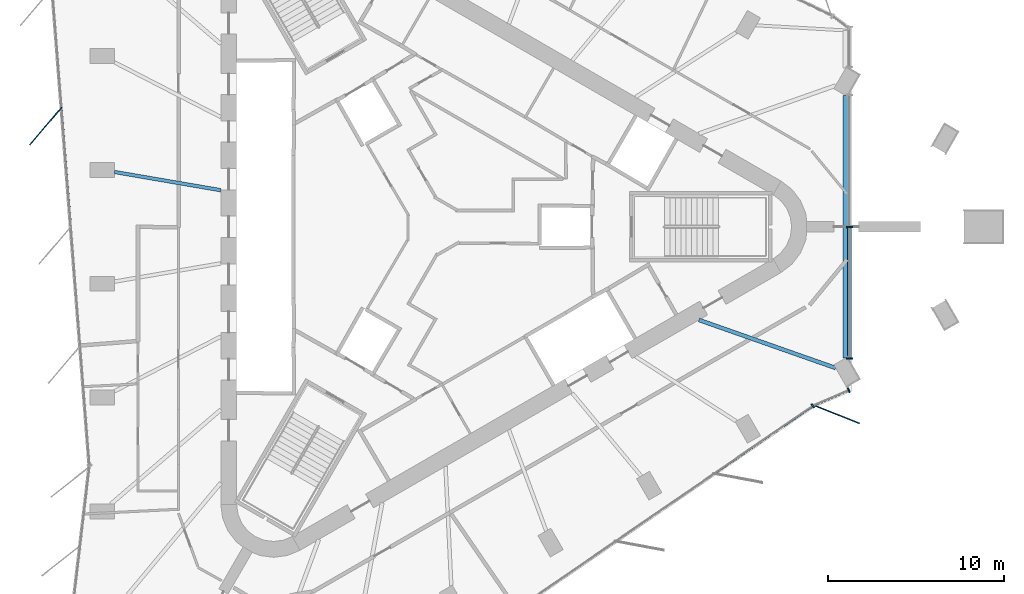
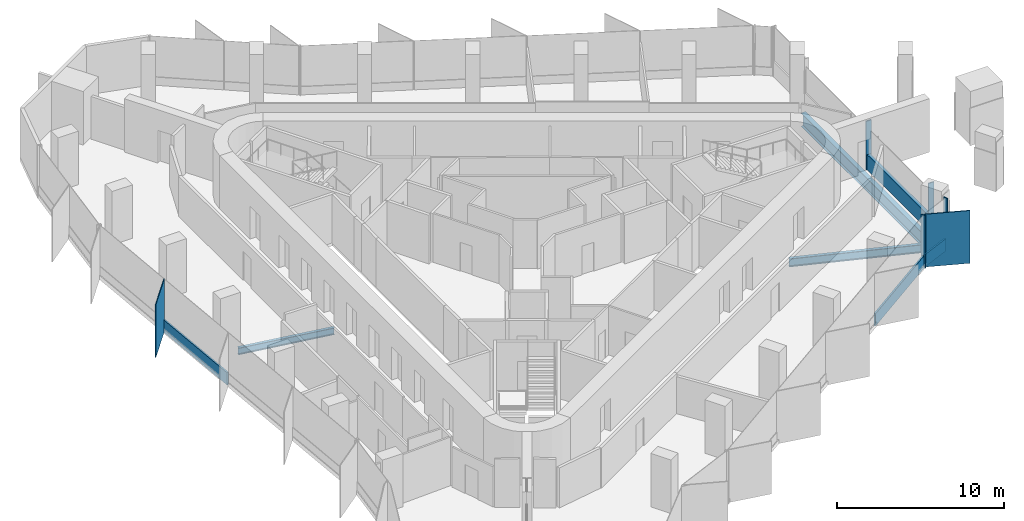
# One storey, part 3 of 12: 10 members, 3 beams, 4 elements without a shape of their own.
"""IFC4 building model written with IfcOpenShell, lengths in metres."""

from ifc_helpers import new_model, si_unit, direction, frame, origin, origin_2d, place, context, subcontext, project, spatial, rectangle, i_section, extrude, material, material_profile, profile_set, type_object, element, aggregate, save


model = new_model("IFC4")

# Units and contexts
model_context = context("Model", 3, precision=1e-05, world=origin(), true_north=direction((0.0, 1.0)))
body_context = subcontext(model_context, "Body", "Model", "MODEL_VIEW")
ifc_project = project(units=[si_unit("LENGTHUNIT", "METRE"), si_unit("AREAUNIT", "SQUARE_METRE"), si_unit("VOLUMEUNIT", "CUBIC_METRE"), si_unit("PLANEANGLEUNIT", "RADIAN"), si_unit("MASSUNIT", "GRAM", prefix="KILO")], contexts=[model_context])

# Site, building, storey
site_placement = place(None, origin())
site = spatial("IfcSite", under=ifc_project, at=site_placement, CompositionType="ELEMENT")
building_placement = place(site_placement, origin())
building = spatial("IfcBuilding", under=site, at=building_placement, Name="Tanit Gate Tower", CompositionType="ELEMENT")
storey_placement = place(building_placement, frame((0.0, 0.0, 388.39990234375)))
storey = spatial("IfcBuildingStorey", under=building, at=storey_placement, Name="L89", CompositionType="ELEMENT", Elevation=388.39990234375)

# Beam
ifc_material_1 = material(Name="Steel S355", Category="steel")
ifc_material_profile_1 = material_profile(ifc_material_1, i_section(OverallWidth=0.300048828125, OverallDepth=0.989990234375, WebThickness=0.0166015625, FlangeThickness=0.031005859375, FilletRadius=0.030029296875, at=origin_2d()), Name="HEA 1000")
ifc_profile_set_1 = profile_set([ifc_material_profile_1], Name="Steel S355")
beam_type_1 = type_object("IfcBeamType", Name="EDGE BEAM HEA 1000 S355", PredefinedType="BEAM", material=ifc_profile_set_1)
beam_1_placement = place(storey_placement, frame((23.3798828125, 7.443115234375, -0.794921875), z_axis=(0.0, -1.0, 0.0), x_axis=(1.0, 0.0, 0.0)))
element("IfcBeam", 1, at=beam_1_placement, inside=storey, type_object=beam_type_1, Name="EDGE BEAM", PredefinedType="BEAM", context=body_context, shape_type="SweptSolid", body=[
    extrude(i_section(OverallWidth=0.300048828125, OverallDepth=0.989990234375, WebThickness=0.0166015625, FlangeThickness=0.031005859375, FilletRadius=0.030029296875, at=origin_2d()), origin(), (0.0, 0.0, 1.0), 14.88623046875),
])

# Curtain wall, member
ifc_material_2 = material(Name="Aluminium bronze anodised and glass", Category="aluminium")
curtain_wall_type_1 = type_object("IfcCurtainWallType", Name="Curtain wall typical high", PredefinedType="NOTDEFINED", material=ifc_material_2)
curtain_wall_1_placement = place(storey_placement, origin())
curtain_wall_1 = element("IfcCurtainWall", 2, at=curtain_wall_1_placement, inside=storey, type_object=curtain_wall_type_1, Name="Curtain wall L89 W2", PredefinedType="NOTDEFINED")
ifc_material_3 = material(Name="Aluminium bronze anodised", Category="aluminium")
ifc_material_profile_2 = material_profile(ifc_material_3, rectangle(XDim=2.800048828125, YDim=0.055908203125, at=origin_2d()), Name="56x2800 bronze fin mullion")
ifc_profile_set_2 = profile_set([ifc_material_profile_2], Name="Aluminium bronze anodised")
member_type_1 = type_object("IfcMemberType", Name="FIN MULLION 56x2800 bronze", PredefinedType="MULLION", material=ifc_profile_set_2)
member_1_placement = place(storey_placement, frame((-22.038818359375, 5.7158203125, -0.2998046875), z_axis=(0.0, 0.0, 1.0), x_axis=(0.649921223903, 0.760001580735, 0.0)))
member_1 = element("IfcMember", 3, at=member_1_placement, type_object=member_type_1, Name="Fin mullion L89 W2.2", PredefinedType="MULLION", context=body_context, shape_type="SweptSolid", body=[
    extrude(rectangle(XDim=2.800048828125, YDim=0.055908203125, at=origin_2d()), origin(), (0.0, 0.0, 1.0), 3.849853515625),
])

curtain_wall_2_placement = place(storey_placement, origin())
curtain_wall_2 = element("IfcCurtainWall", 4, at=curtain_wall_2_placement, inside=storey, type_object=curtain_wall_type_1, Name="Curtain wall L89 SE3c", PredefinedType="NOTDEFINED")
member_2_placement = place(storey_placement, frame((22.853759765625, -10.6396484375, -0.2998046875), z_axis=(0.0, 0.0, 1.0), x_axis=(-0.929263752337, 0.369416944107, 0.0)))
member_2 = element("IfcMember", 5, at=member_2_placement, type_object=member_type_1, Name="Fin mullion L89 SE3c.1", PredefinedType="MULLION", context=body_context, shape_type="SweptSolid", body=[
    extrude(rectangle(XDim=2.800048828125, YDim=0.055908203125, at=origin_2d()), origin(), (0.0, 0.0, 1.0), 3.849853515625),
])

curtain_wall_3_placement = place(storey_placement, origin())
curtain_wall_3 = element("IfcCurtainWall", 6, at=curtain_wall_3_placement, inside=storey, type_object=curtain_wall_type_1, Name="Curtain wall L89 SE2", PredefinedType="NOTDEFINED")
ifc_material_4 = material(Name="Aluminium bronze anodised", Category="aluminium")
ifc_material_profile_3 = material_profile(ifc_material_4, rectangle(XDim=0.280029296875, YDim=0.080078125, at=origin_2d()), Name="80x280 bronze mullion")
ifc_profile_set_3 = profile_set([ifc_material_profile_3], Name="Aluminium bronze anodised")
member_type_2 = type_object("IfcMemberType", Name="Mullion 80x280 typical high", PredefinedType="MULLION", material=ifc_profile_set_3)
member_3_placement = place(storey_placement, frame((21.50146484375, -10.168212890625, -0.2998046875), z_axis=(0.0, 0.0, 1.0), x_axis=(-0.56589316429, 0.824478578624, 0.0)))
member_3 = element("IfcMember", 7, at=member_3_placement, type_object=member_type_2, Name="Mullion L89 SE2.5", PredefinedType="MULLION", context=body_context, shape_type="SweptSolid", body=[
    extrude(rectangle(XDim=0.280029296875, YDim=0.080078125, at=origin_2d()), origin(), (0.0, 0.0, 1.0), 3.849853515625),
])

# Member
member_4_placement = place(storey_placement, frame((23.543701171875, -9.279541015625, -0.2998046875), z_axis=(0.0, 0.0, 1.0), x_axis=(-0.395871474525, 0.918305927051, 0.0)))
member_4 = element("IfcMember", 8, at=member_4_placement, type_object=member_type_2, Name="Mullion L89 SE3c.2", PredefinedType="MULLION", context=body_context, shape_type="SweptSolid", body=[
    extrude(rectangle(XDim=0.280029296875, YDim=0.080078125, at=origin_2d()), origin(), (0.0, 0.0, 1.0), 3.849853515625),
])

# Curtain wall, members
ifc_material_5 = material(Name="Aluminium bronze anodised and glass", Category="aluminium")
curtain_wall_type_2 = type_object("IfcCurtainWallType", Name="Curtain wall portal glazing", PredefinedType="NOTDEFINED", material=ifc_material_5)
curtain_wall_4_placement = place(storey_placement, origin())
curtain_wall_4 = element("IfcCurtainWall", 9, at=curtain_wall_4_placement, inside=storey, type_object=curtain_wall_type_2, Name="Curtain wall L89 NOTCH2", PredefinedType="NOTDEFINED")
ifc_material_6 = material(Name="Aluminium bronze anodised", Category="aluminium")
ifc_material_profile_4 = material_profile(ifc_material_6, rectangle(XDim=0.360107421875, YDim=0.080078125, at=origin_2d()), Name="80x360 bronze mullion")
ifc_profile_set_4 = profile_set([ifc_material_profile_4], Name="Aluminium bronze anodised")
member_type_3 = type_object("IfcMemberType", Name="Mullion 80x360 portal glazing", PredefinedType="MULLION", material=ifc_profile_set_4)
member_5_placement = place(storey_placement, frame((23.580078125, 0.0, 0.0), z_axis=(0.0, 0.0, 1.0), x_axis=(1.0, 0.0, 0.0)))
member_5 = element("IfcMember", 10, at=member_5_placement, type_object=member_type_3, Name="Mullion L89 NOTCH2.2", PredefinedType="MULLION", context=body_context, shape_type="SweptSolid", body=[
    extrude(rectangle(XDim=0.360107421875, YDim=0.080078125, at=origin_2d()), origin(), (0.0, 0.0, 1.0), 3.550048828125),
])
member_6_placement = place(storey_placement, frame((23.580078125, -7.472412109375, 0.0), z_axis=(0.0, 0.0, 1.0), x_axis=(1.0, 0.0, 0.0)))
member_6 = element("IfcMember", 11, at=member_6_placement, type_object=member_type_3, Name="Mullion L89 NOTCH2.3", PredefinedType="MULLION", context=body_context, shape_type="SweptSolid", body=[
    extrude(rectangle(XDim=0.360107421875, YDim=0.080078125, at=origin_2d()), origin(), (0.0, 0.0, 1.0), 3.550048828125),
])

# Beams
ifc_material_7 = material(Name="Steel S355", Category="steel")
ifc_material_profile_5 = material_profile(ifc_material_7, i_section(OverallWidth=0.199951171875, OverallDepth=0.5, WebThickness=0.01025390625, FlangeThickness=0.01611328125, FilletRadius=0.02099609375, at=origin_2d()), Name="IPE 500")
ifc_profile_set_5 = profile_set([ifc_material_profile_5], Name="Steel S355")
beam_type_2 = type_object("IfcBeamType", Name="RADIAL GIRDER IPE 500 S355", PredefinedType="BEAM", material=ifc_profile_set_5)
beam_2_placement = place(storey_placement, frame((-18.134033203125, 3.11181640625, -0.5498046875), z_axis=(0.985592249699, -0.169138751719, 0.0), x_axis=(0.169138751719, 0.985592249699, 0.0)))
element("IfcBeam", 12, at=beam_2_placement, inside=storey, type_object=beam_type_2, Name="RADIAL GIRDER", PredefinedType="BEAM", context=body_context, shape_type="SweptSolid", body=[
    extrude(i_section(OverallWidth=0.199951171875, OverallDepth=0.5, WebThickness=0.01025390625, FlangeThickness=0.01611328125, FilletRadius=0.02099609375, at=origin_2d()), origin(), (0.0, 0.0, 1.0), 6.1201171875),
])
ifc_material_8 = material(Name="Steel S355", Category="steel")
ifc_material_profile_6 = material_profile(ifc_material_8, i_section(OverallWidth=0.219970703125, OverallDepth=0.60009765625, WebThickness=0.011962890625, FlangeThickness=0.01904296875, FilletRadius=0.02392578125, at=origin_2d()), Name="IPE 600")
ifc_profile_set_6 = profile_set([ifc_material_profile_6], Name="Steel S355")
beam_type_3 = type_object("IfcBeamType", Name="RADIAL GIRDER IPE 600 S355", PredefinedType="BEAM", material=ifc_profile_set_6)
beam_3_placement = place(storey_placement, frame((22.7958984375, -8.014404296875, -0.599853515625), z_axis=(-0.943393322565, 0.331676105471, 0.0), x_axis=(-0.331676105471, -0.943393322565, 0.0)))
element("IfcBeam", 13, at=beam_3_placement, inside=storey, type_object=beam_type_3, Name="RADIAL GIRDER", PredefinedType="BEAM", context=body_context, shape_type="SweptSolid", body=[
    extrude(i_section(OverallWidth=0.219970703125, OverallDepth=0.60009765625, WebThickness=0.011962890625, FlangeThickness=0.01904296875, FilletRadius=0.02392578125, at=origin_2d()), origin(), (0.0, 0.0, 1.0), 8.217529296875),
])

# Member
ifc_material_9 = material(Name="Aluminium bronze anodised", Category="aluminium")
ifc_material_profile_7 = material_profile(ifc_material_9, rectangle(XDim=0.1201171875, YDim=0.89990234375, at=origin_2d()), Name="120x900 bronze transom")
ifc_profile_set_7 = profile_set([ifc_material_profile_7], Name="Aluminium bronze anodised")
member_type_4 = type_object("IfcMemberType", Name="Transom 120x900 typical high", PredefinedType="USERDEFINED", material=ifc_profile_set_7)
member_7_placement = place(storey_placement, frame((-21.138671875, 6.72509765625, 0.150146484375), z_axis=(0.077851491829, -0.996964966897, 0.0), x_axis=(0.996964966897, 0.077851491829, 0.0)))
member_7 = element("IfcMember", 14, at=member_7_placement, type_object=member_type_4, Name="Transom L89 W2.2", ObjectType="TRANSOM", PredefinedType="USERDEFINED", context=body_context, shape_type="SweptSolid", body=[
    extrude(rectangle(XDim=0.1201171875, YDim=0.89990234375, at=origin_2d()), origin(), (0.0, 0.0, 1.0), 6.707763671875),
])

aggregate(curtain_wall_1, [member_1, member_7])

member_8_placement = place(storey_placement, frame((15.93798828125, -13.98681640625, 0.150146484375), z_axis=(0.824482387079, 0.565887615517, 0.0), x_axis=(-0.565887615517, 0.824482387079, 0.0)))
member_8 = element("IfcMember", 15, at=member_8_placement, type_object=member_type_4, Name="Transom L89 SE2.4", ObjectType="TRANSOM", PredefinedType="USERDEFINED", context=body_context, shape_type="SweptSolid", body=[
    extrude(rectangle(XDim=0.1201171875, YDim=0.89990234375, at=origin_2d()), origin(), (0.0, 0.0, 1.0), 6.707763671875),
])

aggregate(curtain_wall_3, [member_3, member_8])

member_9_placement = place(storey_placement, frame((21.60791015625, -10.114013671875, 0.150146484375), z_axis=(0.918324826223, 0.3958276311, 0.0), x_axis=(-0.3958276311, 0.918324826223, 0.0)))
member_9 = element("IfcMember", 16, at=member_9_placement, type_object=member_type_4, Name="Transom L89 SE3c.1", ObjectType="TRANSOM", PredefinedType="USERDEFINED", context=body_context, shape_type="SweptSolid", body=[
    extrude(rectangle(XDim=0.1201171875, YDim=0.89990234375, at=origin_2d()), origin(), (0.0, 0.0, 1.0), 2.068115234375),
])

aggregate(curtain_wall_2, [member_2, member_4, member_9])

ifc_material_10 = material(Name="Aluminium bronze anodised", Category="aluminium")
ifc_material_profile_8 = material_profile(ifc_material_10, rectangle(XDim=0.219970703125, YDim=1.10009765625, at=origin_2d()), Name="220x1100 bronze transom")
ifc_profile_set_8 = profile_set([ifc_material_profile_8], Name="Aluminium bronze anodised")
member_type_5 = type_object("IfcMemberType", Name="Transom 220x1100 portal glazing", PredefinedType="USERDEFINED", material=ifc_profile_set_8)
member_10_placement = place(storey_placement, frame((23.580078125, -0.0400390625, 0.550048828125), z_axis=(0.0, -1.0, 0.0), x_axis=(1.0, 0.0, 0.0)))
member_10 = element("IfcMember", 17, at=member_10_placement, type_object=member_type_5, Name="Transom L89 NOTCH2.2", ObjectType="TRANSOM", PredefinedType="USERDEFINED", context=body_context, shape_type="SweptSolid", body=[
    extrude(rectangle(XDim=0.219970703125, YDim=1.10009765625, at=origin_2d()), origin(), (0.0, 0.0, 1.0), 7.392333984375),
])

aggregate(curtain_wall_4, [member_5, member_6, member_10])

save(model, "model.ifc")
